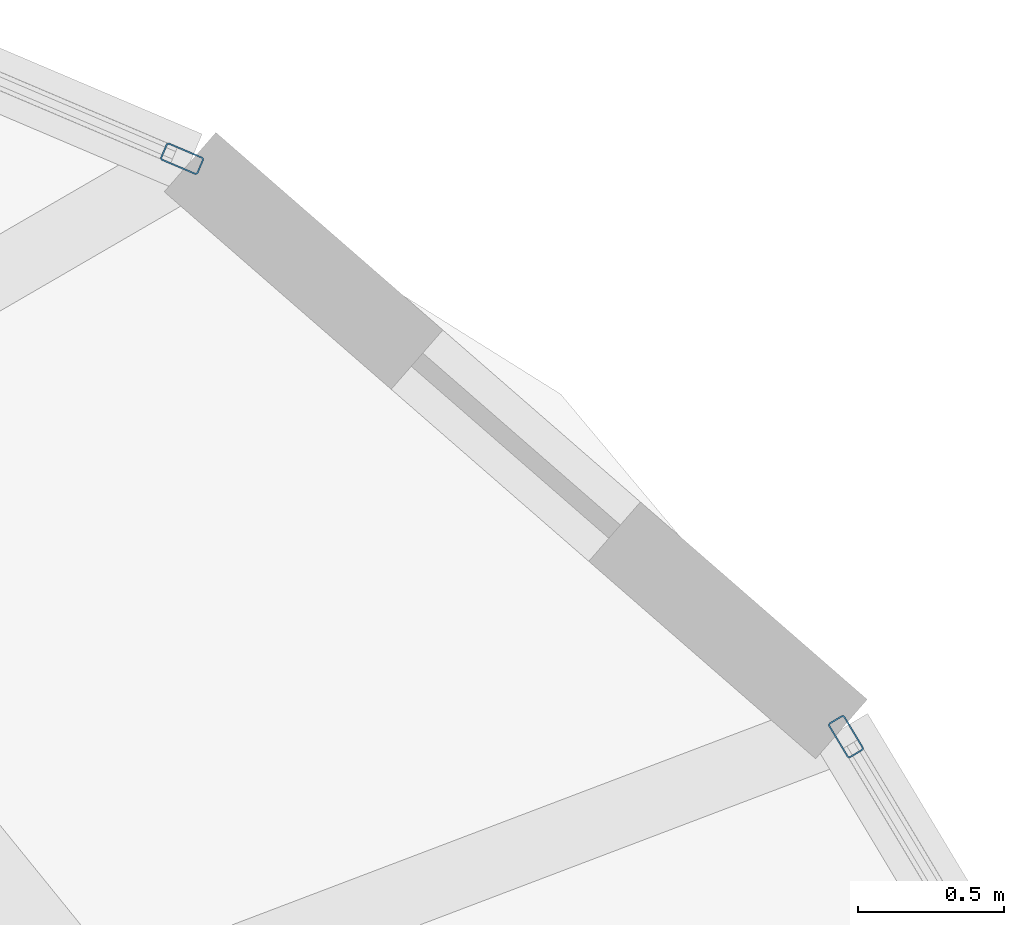
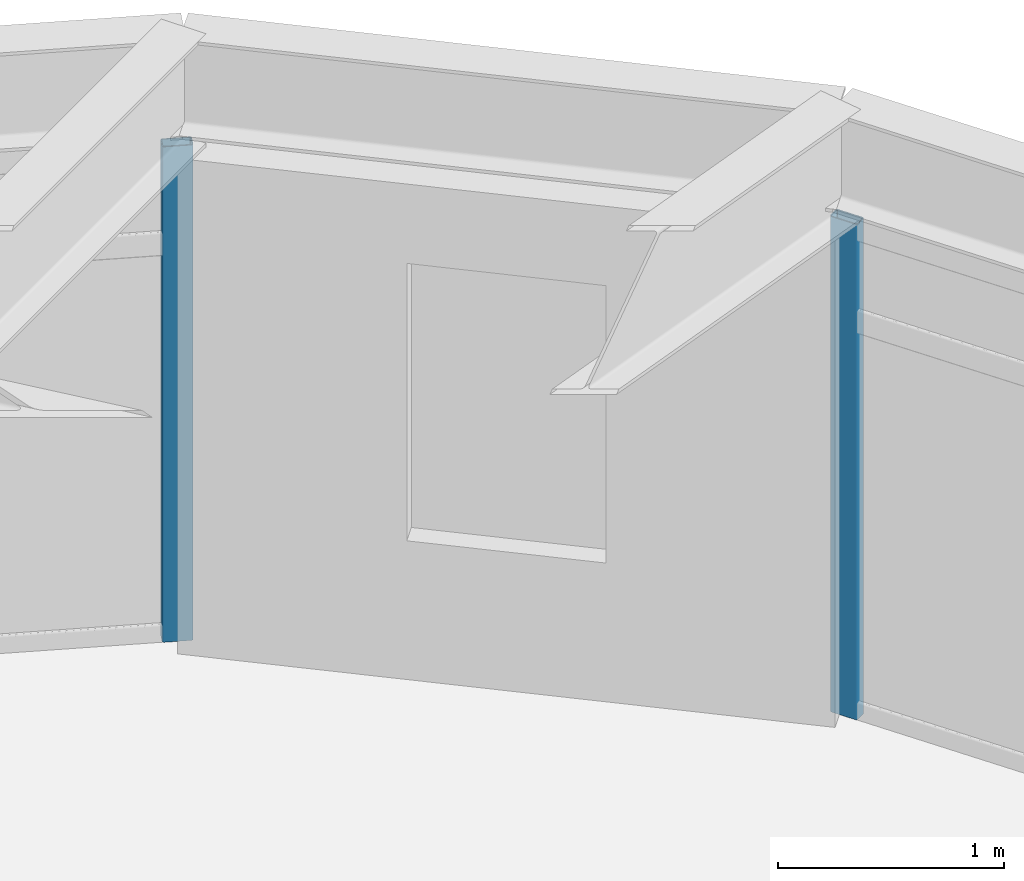
# One storey, part 20 of 27: 2 members, 2 elements without a shape of their own.
"""IFC4 building model written with IfcOpenShell, lengths in metres."""

from ifc_helpers import new_model, si_unit, direction, frame, origin, origin_2d, place, context, subcontext, project, spatial, hollow_rectangle, extrude, material, layer, layer_set, material_profile, profile_set, type_object, element, aggregate, save


model = new_model("IFC4")

# Units and contexts
model_context = context("Model", 3, precision=1e-05, world=origin(), true_north=direction((0.0, 1.0)))
body_context = subcontext(model_context, "Body", "Model", "MODEL_VIEW")
ifc_project = project(units=[si_unit("LENGTHUNIT", "METRE"), si_unit("AREAUNIT", "SQUARE_METRE"), si_unit("VOLUMEUNIT", "CUBIC_METRE"), si_unit("PLANEANGLEUNIT", "RADIAN"), si_unit("MASSUNIT", "GRAM", prefix="KILO")], contexts=[model_context])

# Site, building, storey
site_placement = place(None, origin())
site = spatial("IfcSite", under=ifc_project, at=site_placement, CompositionType="ELEMENT")
building_placement = place(site_placement, origin())
building = spatial("IfcBuilding", under=site, at=building_placement, Name="Soratama Intermodal Tower", CompositionType="ELEMENT")
storey_placement = place(building_placement, frame((0.0, 0.0, 212.199951171875)))
storey = spatial("IfcBuildingStorey", under=building, at=storey_placement, Name="L53", CompositionType="ELEMENT", Elevation=212.199951171875)

# Curtain wall, member
ifc_material_1 = material(Name="Double-glazed aluminium curtain wall", Category="aluminium")
ifc_layer = layer(ifc_material_1, 0.159912109375)
ifc_layer_set = layer_set([ifc_layer], Name="Double-glazed aluminium curtain wall")
curtain_wall_type = type_object("IfcCurtainWallType", Name="CW-SYS-5", PredefinedType="NOTDEFINED", material=ifc_layer_set)
curtain_wall_1_placement = place(storey_placement, origin())
curtain_wall_1 = element("IfcCurtainWall", 1, at=curtain_wall_1_placement, inside=storey, type_object=curtain_wall_type, Name="L53 Faceted Curtain Wall F01", PredefinedType="NOTDEFINED")
ifc_material_2 = material(Name="Anodised aluminium AA 6063-T6", Category="aluminium")
ifc_material_profile = material_profile(ifc_material_2, hollow_rectangle(XDim=0.06494140625, YDim=0.139892578125, WallThickness=0.0048828125, InnerFilletRadius=0.0048828125, OuterFilletRadius=0.010009765625, at=origin_2d()), Name="CWM140X65X5")
ifc_profile_set = profile_set([ifc_material_profile], Name="Anodised aluminium AA 6063-T6")
member_type = type_object("IfcMemberType", Name="MT-CWM-5", PredefinedType="MULLION", material=ifc_profile_set)
member_1_placement = place(storey_placement, frame((57.229248046875, 41.350830078125, 0.0), z_axis=(0.0, 0.0, 1.0), x_axis=(-0.391376465221, -0.920230657211, 0.0)))
member_1 = element("IfcMember", 2, at=member_1_placement, type_object=member_type, Name="CW-5 mullion 1", PredefinedType="MULLION", context=body_context, shape_type="SweptSolid", body=[
    extrude(hollow_rectangle(XDim=0.06494140625, YDim=0.139892578125, WallThickness=0.0048828125, InnerFilletRadius=0.0048828125, OuterFilletRadius=0.010009765625, at=origin_2d()), origin(), (0.0, 0.0, 1.0), 2.678955078125),
])
aggregate(curtain_wall_1, [member_1])

curtain_wall_2_placement = place(storey_placement, origin())
curtain_wall_2 = element("IfcCurtainWall", 3, at=curtain_wall_2_placement, inside=storey, type_object=curtain_wall_type, Name="L53 Faceted Curtain Wall F10", PredefinedType="NOTDEFINED")
member_2_placement = place(storey_placement, frame((59.509765625, 39.365478515625, 0.0), z_axis=(0.0, 0.0, 1.0), x_axis=(-0.857527246406, -0.514438549948, 0.0)))
member_2 = element("IfcMember", 4, at=member_2_placement, type_object=member_type, Name="CW-5 mullion 3", PredefinedType="MULLION", context=body_context, shape_type="SweptSolid", body=[
    extrude(hollow_rectangle(XDim=0.06494140625, YDim=0.139892578125, WallThickness=0.0048828125, InnerFilletRadius=0.0048828125, OuterFilletRadius=0.010009765625, at=origin_2d()), origin(), (0.0, 0.0, 1.0), 2.678955078125),
])
aggregate(curtain_wall_2, [member_2])

save(model, "model.ifc")
